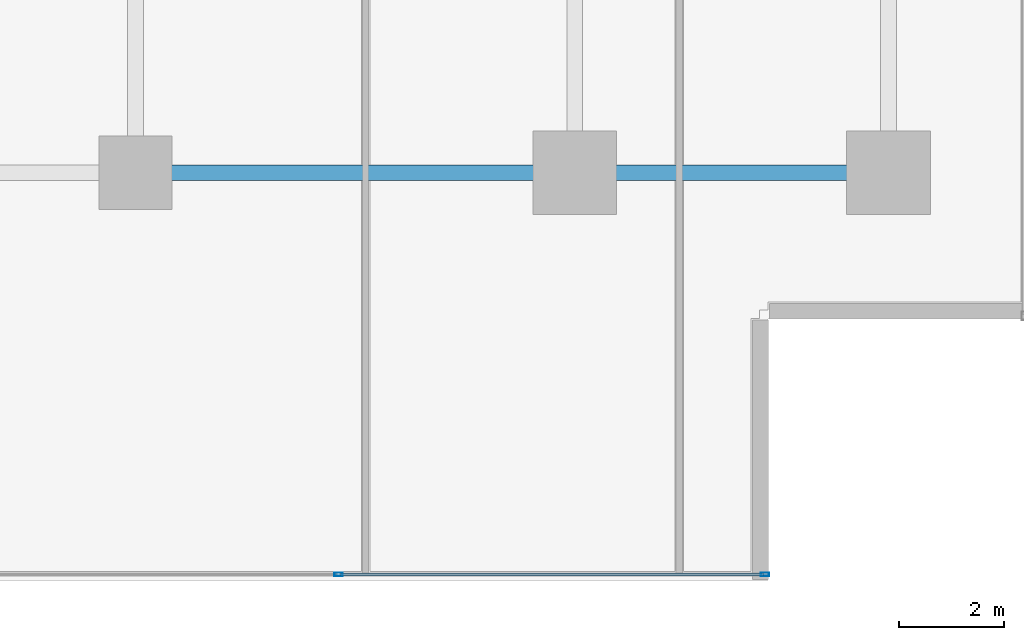
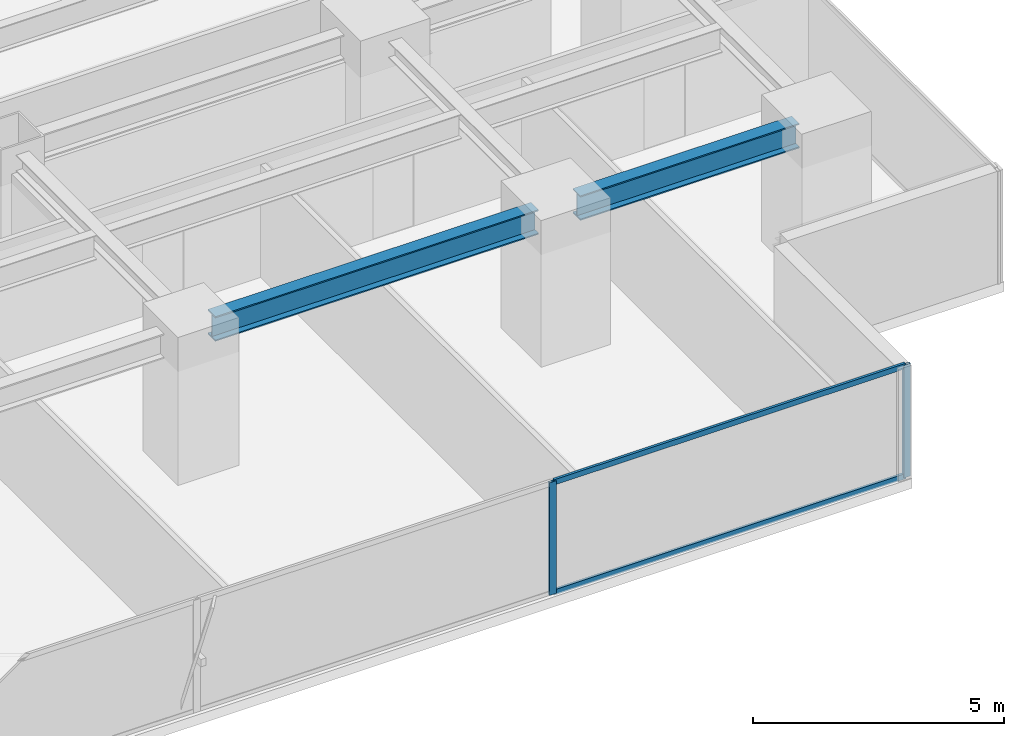
# One storey, part 12 of 36: 4 members, 2 beams, 1 element without a shape of its own.
"""IFC4 building model written with IfcOpenShell, lengths in metres."""

import ifcopenshell
import ifcopenshell.guid

model = None  # the IFC model being written
_history = None  # IfcOwnerHistory: only IFC2X3 demands one
_inside = {}  # id of a spatial element -> (the spatial element, [elements in it])
_under = {}  # id of a project, library or spatial element -> (it, [spatial elements below it])
_declared = {}  # id of a project -> (the project, [libraries it declares])
_typed = {}  # id of a type object -> (the type object, [elements of that type])
_made_of = {}  # id of a material, layer set ... -> (it, [elements and type objects made of it])


def new_model(schema):
    """Start an empty IFC model of exactly this schema.

    Asked for "IFC4X3", IfcOpenShell would pick the latest addendum, in which some entities
    have other attributes; the version numbers below select the first issue.
    IFC2X3 requires an IfcOwnerHistory on every rooted entity: one is made here for all.
    """
    global model, _history
    if schema == "IFC4X3":
        model = ifcopenshell.file(schema_version=(4, 3, 0, 0))
    else:
        model = ifcopenshell.file(schema=schema)
    _inside.clear()
    _under.clear()
    _declared.clear()
    _typed.clear()
    _made_of.clear()
    _history = None
    if model.schema == "IFC2X3":
        org = make("IfcOrganization", Name="unknown")
        user = make(
            "IfcPersonAndOrganization",
            ThePerson=make("IfcPerson", FamilyName="unknown"),
            TheOrganization=org,
        )
        app = make(
            "IfcApplication",
            ApplicationDeveloper=org,
            Version="unknown",
            ApplicationFullName="unknown",
            ApplicationIdentifier="unknown",
        )
        _history = make(
            "IfcOwnerHistory",
            OwningUser=user,
            OwningApplication=app,
            ChangeAction="ADDED",
            CreationDate=0,
        )
    return model


def make(cls, **values):
    """One entity of the class cls with the attributes given. An attribute that is None is left unset."""
    return model.create_entity(
        cls, **{name: value for name, value in values.items() if value is not None}
    )


def rooted(cls, **values):
    """An entity with a GlobalId (a new one), such as an element, a storey or a relation."""
    return make(cls, GlobalId=ifcopenshell.guid.new(), OwnerHistory=_history, **values)


def si_unit(unit_type, name, prefix=None):
    """IfcSIUnit, for example si_unit("LENGTHUNIT", "METRE", prefix="MILLI")."""
    return make("IfcSIUnit", UnitType=unit_type, Prefix=prefix, Name=name)


def assignment(units):
    """IfcUnitAssignment: the units of a project."""
    return None if units is None else make("IfcUnitAssignment", Units=units)


def point(xyz):
    """IfcCartesianPoint."""
    return None if xyz is None else make("IfcCartesianPoint", Coordinates=xyz)


def direction(xyz):
    """IfcDirection."""
    return None if xyz is None else make("IfcDirection", DirectionRatios=xyz)


def frame(location, z_axis=None, x_axis=None):
    """IfcAxis2Placement3D, a coordinate frame: its origin and axes. An axis left out is left unset."""
    return make(
        "IfcAxis2Placement3D",
        Location=point(location),
        Axis=direction(z_axis),
        RefDirection=direction(x_axis),
    )


def frame_2d(location, x_axis=None):
    """IfcAxis2Placement2D, a coordinate frame in the plane: its origin and x axis."""
    return make(
        "IfcAxis2Placement2D", Location=point(location), RefDirection=direction(x_axis)
    )


def origin():
    """The frame at (0, 0, 0) with its axes left unset."""
    return frame((0.0, 0.0, 0.0))


def origin_2d():
    """The frame at (0, 0) in the plane with its x axis left unset."""
    return frame_2d((0.0, 0.0))


def place(relative_to, where):
    """IfcLocalPlacement: puts the frame where relative to a parent placement (None: the world)."""
    return make(
        "IfcLocalPlacement", PlacementRelTo=relative_to, RelativePlacement=where
    )


def context(
    kind, dimensions, precision=None, world=None, true_north=None, identifier=None
):
    """IfcGeometricRepresentationContext, for example the 3D "Model" context."""
    return make(
        "IfcGeometricRepresentationContext",
        ContextIdentifier=identifier,
        ContextType=kind,
        CoordinateSpaceDimension=dimensions,
        Precision=precision,
        WorldCoordinateSystem=world,
        TrueNorth=true_north,
    )


def subcontext(parent, identifier, kind, view, scale=None):
    """IfcGeometricRepresentationSubContext, for example "Body" below "Model"."""
    return make(
        "IfcGeometricRepresentationSubContext",
        ContextIdentifier=identifier,
        ContextType=kind,
        ParentContext=parent,
        TargetScale=scale,
        TargetView=view,
    )


def project(units=None, contexts=None):
    """IfcProject with its units and contexts."""
    return rooted(
        "IfcProject",
        Name="project",
        RepresentationContexts=contexts,
        UnitsInContext=assignment(units),
    )


def spatial(cls, under=None, at=None, **own):
    """A site, building, storey or space (cls), placed at a placement, below another one or the project."""
    s = rooted(cls, ObjectPlacement=at, **own)
    if under is not None:
        _under.setdefault(under.id(), (under, []))[1].append(s)
    return s


def profile(cls, at=None, kind="AREA", **sizes):
    """A parametric profile (cls). Its sizes go by their IFC names, for example OverallWidth=200.0."""
    return make(cls, ProfileType=kind, Position=at, **sizes)


def hollow_rectangle(**sizes):
    """IfcRectangleHollowProfileDef."""
    return profile("IfcRectangleHollowProfileDef", **sizes)


def i_section(**sizes):
    """IfcIShapeProfileDef."""
    return profile("IfcIShapeProfileDef", **sizes)


def extrude(swept, where, along, depth):
    """IfcExtrudedAreaSolid: the profile swept, set in the frame where, extruded along a direction by depth."""
    return make(
        "IfcExtrudedAreaSolid",
        SweptArea=swept,
        Position=where,
        ExtrudedDirection=direction(along),
        Depth=depth,
    )


def shape(context_of_items, identifier, shape_type, items):
    """IfcShapeRepresentation: the items that make up one representation, for example the "Body"."""
    return make(
        "IfcShapeRepresentation",
        ContextOfItems=context_of_items,
        RepresentationIdentifier=identifier,
        RepresentationType=shape_type,
        Items=items,
    )


def source(mapping_origin, context_of_items, identifier, shape_type, items):
    """IfcRepresentationMap: a shape defined once, which mapped items show again and again."""
    return make(
        "IfcRepresentationMap",
        MappingOrigin=mapping_origin,
        MappedRepresentation=shape(context_of_items, identifier, shape_type, items),
    )


def transform(
    local_origin,
    x_axis=None,
    y_axis=None,
    z_axis=None,
    scale=None,
    scale2=None,
    scale3=None,
    uniform=True,
):
    """IfcCartesianTransformationOperator3D, or its non-uniform kind. x_axis, y_axis, z_axis: its Axis1, 2, 3."""
    if uniform:
        return make(
            "IfcCartesianTransformationOperator3D",
            Axis1=direction(x_axis),
            Axis2=direction(y_axis),
            LocalOrigin=point(local_origin),
            Scale=scale,
            Axis3=direction(z_axis),
        )
    return make(
        "IfcCartesianTransformationOperator3DnonUniform",
        Axis1=direction(x_axis),
        Axis2=direction(y_axis),
        LocalOrigin=point(local_origin),
        Scale=scale,
        Axis3=direction(z_axis),
        Scale2=scale2,
        Scale3=scale3,
    )


def mapped(mapping_source, mapping_target):
    """IfcMappedItem: shows the shape of a source again, moved by a transform."""
    return make(
        "IfcMappedItem", MappingSource=mapping_source, MappingTarget=mapping_target
    )


def material(Name=None, Category=None):
    """IfcMaterial."""
    return make("IfcMaterial", Name=Name, Category=Category)


def layer(
    of_material, thickness, ventilated=None, Name=None, Category=None, Priority=None
):
    """IfcMaterialLayer: one layer of a wall or slab, of a material (None: an air gap)."""
    return make(
        "IfcMaterialLayer",
        Material=of_material,
        LayerThickness=thickness,
        IsVentilated=ventilated,
        Name=Name,
        Category=Category,
        Priority=Priority,
    )


def layer_set(layers, Name=None):
    """IfcMaterialLayerSet."""
    return make("IfcMaterialLayerSet", MaterialLayers=layers, LayerSetName=Name)


def material_profile(
    of_material, cross_section, Name=None, Category=None, Priority=None
):
    """IfcMaterialProfile: a cross section and its material."""
    return make(
        "IfcMaterialProfile",
        Name=Name,
        Material=of_material,
        Profile=cross_section,
        Priority=Priority,
        Category=Category,
    )


def profile_set(profiles, Name=None, composite=None):
    """IfcMaterialProfileSet."""
    return make(
        "IfcMaterialProfileSet",
        Name=Name,
        MaterialProfiles=profiles,
        CompositeProfile=composite,
    )


def made_of(thing, what):
    """Note that an element or type object is made of a material, layer set ...; save() writes the relation."""
    if what is not None:
        _made_of.setdefault(what.id(), (what, []))[1].append(thing)
    return thing


def type_object(cls, material=None, **own):
    """A type object (cls), such as IfcWallType, which elements share."""
    return made_of(rooted(cls, **own), material)


def element(
    cls,
    number,
    at=None,
    inside=None,
    cuts=None,
    type_object=None,
    material=None,
    context=None,
    identifier="Body",
    shape_type=None,
    held_by="IfcProductDefinitionShape",
    body=None,
    shapes=None,
    **own,
):
    """One element of the class cls, such as IfcWall. Its Tag is "e" and its number.

    at: its placement. inside: the storey or other place that contains it. cuts: it is an
    opening in that element (IfcRelVoidsElement). A single representation is given by context,
    identifier, shape_type and body (its items); several are given by shapes. held_by: the class
    of the entity that holds the representations. save() writes the other relations.
    """
    e = rooted(cls, Tag="e%d" % number, ObjectPlacement=at, **own)
    if body is not None:
        shapes = [shape(context, identifier, shape_type, body)]
    if shapes is not None:
        e.Representation = make(held_by, Representations=shapes)
    if inside is not None:
        _inside.setdefault(inside.id(), (inside, []))[1].append(e)
    if cuts is not None:
        rooted(
            "IfcRelVoidsElement", RelatingBuildingElement=cuts, RelatedOpeningElement=e
        )
    if type_object is not None:
        _typed.setdefault(type_object.id(), (type_object, []))[1].append(e)
    return made_of(e, material)


def aggregate(whole, parts):
    """IfcRelAggregates: a whole, such as a stair, and the parts it consists of."""
    return rooted("IfcRelAggregates", RelatingObject=whole, RelatedObjects=parts)


def save(model, path):
    """Write the relations noted so far, then the file.

    IfcRelAggregates (storeys below a building ...), IfcRelContainedInSpatialStructure (elements
    in a storey), IfcRelDefinesByType, IfcRelAssociatesMaterial and IfcRelDeclares: one each for
    every whole, place, type object, material and project.
    """
    for whole, parts in _under.values():
        aggregate(whole, parts)
    for where, things in _inside.values():
        rooted(
            "IfcRelContainedInSpatialStructure",
            RelatedElements=things,
            RelatingStructure=where,
        )
    for kind, things in _typed.values():
        rooted("IfcRelDefinesByType", RelatedObjects=things, RelatingType=kind)
    for what, things in _made_of.values():
        rooted("IfcRelAssociatesMaterial", RelatedObjects=things, RelatingMaterial=what)
    for by, libraries in _declared.values():
        rooted("IfcRelDeclares", RelatingContext=by, RelatedDefinitions=libraries)
    model.write(path)


model = new_model("IFC4")

# Units and contexts
model_context = context("Model", 3, precision=1e-05, world=origin(), true_north=direction((0.0, 1.0)))
body_context = subcontext(model_context, "Body", "Model", "MODEL_VIEW")
ifc_project = project(units=[si_unit("LENGTHUNIT", "METRE"), si_unit("AREAUNIT", "SQUARE_METRE"), si_unit("VOLUMEUNIT", "CUBIC_METRE"), si_unit("PLANEANGLEUNIT", "RADIAN"), si_unit("MASSUNIT", "GRAM", prefix="KILO")], contexts=[model_context])

# Site, building, storey
site_placement = place(None, origin())
site = spatial("IfcSite", under=ifc_project, at=site_placement, CompositionType="ELEMENT")
building_placement = place(site_placement, origin())
building = spatial("IfcBuilding", under=site, at=building_placement, Name="Sumidabori Civic Tower", CompositionType="ELEMENT")
storey_placement = place(building_placement, frame((0.0, 0.0, 84.800048828125)))
storey = spatial("IfcBuildingStorey", under=building, at=storey_placement, Name="L21", CompositionType="ELEMENT", Elevation=84.800048828125)

# Beams
ifc_material_1 = material(Name="Steel SN490", Category="steel")
ifc_material_profile_1 = material_profile(ifc_material_1, i_section(OverallWidth=0.300048828125, OverallDepth=0.60009765625, WebThickness=0.015380859375, FlangeThickness=0.030029296875, at=origin_2d()), Name="HE 600 B")
ifc_profile_set_1 = profile_set([ifc_material_profile_1], Name="Steel SN490")
beam_type = type_object("IfcBeamType", Name="BM-GIRD-600", PredefinedType="BEAM", material=ifc_profile_set_1)
shared_shape_1 = source(origin(), body_context, "Body", "SweptSolid", [
    extrude(i_section(OverallWidth=0.300048828125, OverallDepth=0.60009765625, WebThickness=0.015380859375, FlangeThickness=0.030029296875, at=origin_2d()), origin(), (0.0, 0.0, 1.0), 5.0400390625),
])
beam_1_placement = place(storey_placement, frame((17.280029296875, -18.0, 3.06005859375), z_axis=(1.0, 0.0, 0.0), x_axis=(0.0, 1.0, 0.0)))
element("IfcBeam", 1, at=beam_1_placement, inside=storey, type_object=beam_type, Name="Primary Girder L21 GX-06", PredefinedType="BEAM", context=body_context, shape_type="MappedRepresentation", body=[
    mapped(shared_shape_1, transform((0.0, 0.0, 0.0), x_axis=(1.0, 0.0, 0.0), y_axis=(0.0, 1.0, 0.0), z_axis=(0.0, 0.0, 1.0), scale=1.0)),
])
shared_shape_2 = source(origin(), body_context, "Body", "SweptSolid", [
    extrude(i_section(OverallWidth=0.300048828125, OverallDepth=0.60009765625, WebThickness=0.015380859375, FlangeThickness=0.030029296875, at=origin_2d()), origin(), (0.0, 0.0, 1.0), 7.440185546875),
])
beam_2_placement = place(storey_placement, frame((8.8798828125, -18.0, 3.06005859375), z_axis=(1.0, 0.0, 0.0), x_axis=(0.0, 1.0, 0.0)))
element("IfcBeam", 2, at=beam_2_placement, inside=storey, type_object=beam_type, Name="Primary Girder L21 GX-05", PredefinedType="BEAM", context=body_context, shape_type="MappedRepresentation", body=[
    mapped(shared_shape_2, transform((0.0, 0.0, 0.0), x_axis=(1.0, 0.0, 0.0), y_axis=(0.0, 1.0, 0.0), z_axis=(0.0, 0.0, 1.0), scale=1.0)),
])

# Curtain wall, members
ifc_material_2 = material(Name="Anodised Bronze Aluminium AW-6063-T6", Category="aluminium")
ifc_layer = layer(ifc_material_2, 0.179931640625, Name="Anodised Bronze Aluminium AW-6063-T6")
ifc_layer_set = layer_set([ifc_layer], Name="Anodised Bronze Aluminium AW-6063-T6")
curtain_wall_type = type_object("IfcCurtainWallType", Name="CW-SYS-3", PredefinedType="NOTDEFINED", material=ifc_layer_set)
curtain_wall_placement = place(storey_placement, origin())
curtain_wall = element("IfcCurtainWall", 3, at=curtain_wall_placement, inside=storey, type_object=curtain_wall_type, Name="Curtain Wall CW:L21:R01", PredefinedType="NOTDEFINED")
ifc_material_profile_2 = material_profile(ifc_material_2, hollow_rectangle(XDim=0.06494140625, YDim=0.159912109375, WallThickness=0.0048828125, at=origin_2d()), Name="ALU MULLION 160x65")
ifc_profile_set_2 = profile_set([ifc_material_profile_2], Name="Anodised Bronze Aluminium AW-6063-T6")
member_type_1 = type_object("IfcMemberType", Name="CW-MUL-160", PredefinedType="MULLION", material=ifc_profile_set_2)
shared_shape_3 = source(origin(), body_context, "Body", "SweptSolid", [
    extrude(hollow_rectangle(XDim=0.06494140625, YDim=0.159912109375, WallThickness=0.0048828125, at=origin_2d()), origin(), (0.0, 0.0, 1.0), 2.739990234375),
])
member_1_placement = place(storey_placement, frame((12.281982421875, -25.679931640625, 0.0), z_axis=(0.0, 0.0, 1.0), x_axis=(0.0, 1.0, 0.0)))
member_1 = element("IfcMember", 4, at=member_1_placement, type_object=member_type_1, Name="CW-3 mullion 5", PredefinedType="MULLION", context=body_context, shape_type="MappedRepresentation", body=[
    mapped(shared_shape_3, transform((0.0, 0.0, 0.0), x_axis=(1.0, 0.0, 0.0), y_axis=(0.0, 1.0, 0.0), z_axis=(0.0, 0.0, 1.0), scale=1.0)),
])
member_2_placement = place(storey_placement, frame((20.4375, -25.679931640625, 0.0), z_axis=(0.0, 0.0, 1.0), x_axis=(0.0, 1.0, 0.0)))
member_2 = element("IfcMember", 5, at=member_2_placement, type_object=member_type_1, Name="CW-3 mullion 6", PredefinedType="MULLION", context=body_context, shape_type="MappedRepresentation", body=[
    mapped(shared_shape_3, transform((0.0, 0.0, 0.0), x_axis=(1.0, 0.0, 0.0), y_axis=(0.0, 1.0, 0.0), z_axis=(0.0, 0.0, 1.0), scale=1.0)),
])
ifc_material_profile_3 = material_profile(ifc_material_2, hollow_rectangle(XDim=0.06005859375, YDim=0.1298828125, WallThickness=0.0048828125, at=origin_2d()), Name="ALU TRANSOM 130x60")
ifc_profile_set_3 = profile_set([ifc_material_profile_3], Name="Anodised Bronze Aluminium AW-6063-T6")
member_type_2 = type_object("IfcMemberType", Name="CW-TRN-130", PredefinedType="USERDEFINED", material=ifc_profile_set_3)
shared_shape_4 = source(origin(), body_context, "Body", "SweptSolid", [
    extrude(hollow_rectangle(XDim=0.06005859375, YDim=0.1298828125, WallThickness=0.0048828125, at=origin_2d()), origin(), (0.0, 0.0, 1.0), 8.090576171875),
])
member_3_placement = place(storey_placement, frame((12.314453125, -25.679931640625, 0.030029296875), z_axis=(1.0, 0.0, 0.0), x_axis=(0.0, 1.0, 0.0)))
member_3 = element("IfcMember", 6, at=member_3_placement, type_object=member_type_2, Name="CW-3 transom 5.1", ObjectType="TRANSOM", PredefinedType="USERDEFINED", context=body_context, shape_type="MappedRepresentation", body=[
    mapped(shared_shape_4, transform((0.0, 0.0, 0.0), x_axis=(1.0, 0.0, 0.0), y_axis=(0.0, 1.0, 0.0), z_axis=(0.0, 0.0, 1.0), scale=1.0)),
])
member_4_placement = place(storey_placement, frame((12.314453125, -25.679931640625, 2.7099609375), z_axis=(1.0, 0.0, 0.0), x_axis=(0.0, 1.0, 0.0)))
member_4 = element("IfcMember", 7, at=member_4_placement, type_object=member_type_2, Name="CW-3 transom 5.2", ObjectType="TRANSOM", PredefinedType="USERDEFINED", context=body_context, shape_type="MappedRepresentation", body=[
    mapped(shared_shape_4, transform((0.0, 0.0, 0.0), x_axis=(1.0, 0.0, 0.0), y_axis=(0.0, 1.0, 0.0), z_axis=(0.0, 0.0, 1.0), scale=1.0)),
])
aggregate(curtain_wall, [member_1, member_2, member_3, member_4])

save(model, "model.ifc")
